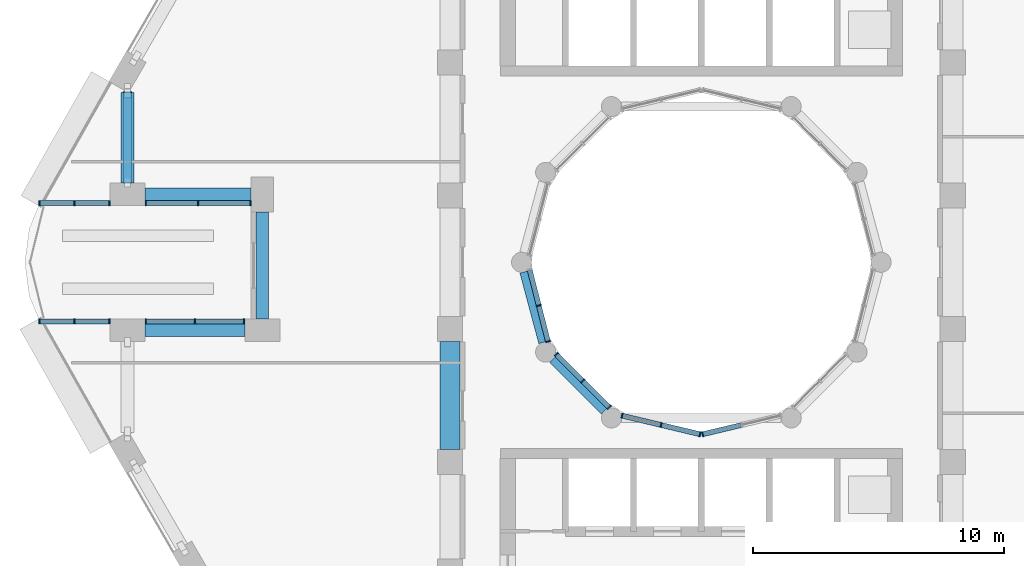
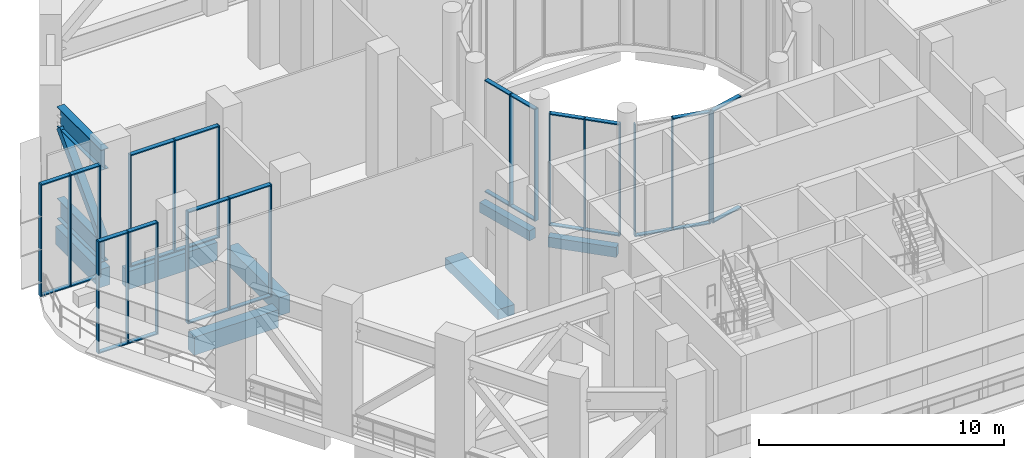
# One storey, part 2 of 21: 53 members, 7 beams, 8 elements without a shape of their own.
"""IFC4 building model written with IfcOpenShell, lengths in metres."""

from ifc_helpers import new_model, si_unit, direction, frame, origin, origin_2d, place, context, subcontext, project, spatial, rectangle, hollow_rectangle, i_section, extrude, material, layer, layer_set, material_profile, profile_set, type_object, element, aggregate, save


model = new_model("IFC4")

# Units and contexts
model_context = context("Model", 3, precision=1e-05, world=origin(), true_north=direction((0.0, 1.0)))
body_context = subcontext(model_context, "Body", "Model", "MODEL_VIEW")
ifc_project = project(units=[si_unit("LENGTHUNIT", "METRE"), si_unit("AREAUNIT", "SQUARE_METRE"), si_unit("VOLUMEUNIT", "CUBIC_METRE"), si_unit("PLANEANGLEUNIT", "RADIAN"), si_unit("MASSUNIT", "GRAM", prefix="KILO")], contexts=[model_context])

# Site, building, storey
site_placement = place(None, origin())
site = spatial("IfcSite", under=ifc_project, at=site_placement, CompositionType="ELEMENT")
building_placement = place(site_placement, origin())
building = spatial("IfcBuilding", under=site, at=building_placement, Name="Nakaniwa Court", CompositionType="ELEMENT")
storey_placement = place(building_placement, frame((0.0, 0.0, 120.60009765625)))
storey = spatial("IfcBuildingStorey", under=building, at=storey_placement, Name="S2", CompositionType="ELEMENT", Elevation=120.60009765625)

# Curtain wall, member
ifc_material_1 = material(Name="Black anodised aluminium frame with dark low-E laminated double glazing", Category="aluminium")
ifc_layer = layer(ifc_material_1, 0.199951171875)
ifc_layer_set = layer_set([ifc_layer], Name="Black anodised aluminium frame with dark low-E laminated double glazing")
curtain_wall_type = type_object("IfcCurtainWallType", Name="Amenity and sky level curtain wall", PredefinedType="NOTDEFINED", material=ifc_layer_set)
curtain_wall_1_placement = place(storey_placement, origin())
curtain_wall_1 = element("IfcCurtainWall", 1, at=curtain_wall_1_placement, inside=storey, type_object=curtain_wall_type, Name="S2 curtain wall CW3 38", PredefinedType="NOTDEFINED")
ifc_material_2 = material(Name="Black anodised aluminium extrusion", Category="aluminium")
ifc_material_profile_1 = material_profile(ifc_material_2, rectangle(XDim=0.199951171875, YDim=0.054931640625, at=origin_2d()), Name="Amenity and sky level curtain wall mullion 55x200")
ifc_profile_set_1 = profile_set([ifc_material_profile_1], Name="Black anodised aluminium extrusion")
member_type_1 = type_object("IfcMemberType", Name="Amenity and sky level curtain wall mullion 55x200", PredefinedType="MULLION", material=ifc_profile_set_1)
member_1_placement = place(storey_placement, frame((80.050048828125, 73.1591796875, 0.0), z_axis=(0.0, 0.0, 1.0), x_axis=(0.231791306712, -0.972765537081, 0.0)))
member_1 = element("IfcMember", 2, at=member_1_placement, type_object=member_type_1, Name="CW3 mullion 3", PredefinedType="MULLION", context=body_context, shape_type="SweptSolid", body=[
    extrude(rectangle(XDim=0.199951171875, YDim=0.054931640625, at=origin_2d()), origin(), (0.0, 0.0, 1.0), 5.58984375),
])

# Curtain wall, members
curtain_wall_2_placement = place(storey_placement, origin())
curtain_wall_2 = element("IfcCurtainWall", 3, at=curtain_wall_2_placement, inside=storey, type_object=curtain_wall_type, Name="S2 curtain wall CW3 39", PredefinedType="NOTDEFINED")
member_2_placement = place(storey_placement, frame((79.949951171875, 73.1591796875, 0.0), z_axis=(0.0, 0.0, 1.0), x_axis=(-0.231791306712, -0.972765537081, 0.0)))
member_2 = element("IfcMember", 4, at=member_2_placement, type_object=member_type_1, Name="CW3 mullion 1", PredefinedType="MULLION", context=body_context, shape_type="SweptSolid", body=[
    extrude(rectangle(XDim=0.199951171875, YDim=0.054931640625, at=origin_2d()), origin(), (0.0, 0.0, 1.0), 5.58984375),
])
member_3_placement = place(storey_placement, frame((78.398193359375, 73.52880859375, 0.0), z_axis=(0.0, 0.0, 1.0), x_axis=(-0.231791306712, -0.972765537081, 0.0)))
member_3 = element("IfcMember", 5, at=member_3_placement, type_object=member_type_1, Name="CW3 mullion 2", PredefinedType="MULLION", context=body_context, shape_type="SweptSolid", body=[
    extrude(rectangle(XDim=0.199951171875, YDim=0.054931640625, at=origin_2d()), origin(), (0.0, 0.0, 1.0), 5.58984375),
])
member_4_placement = place(storey_placement, frame((76.846435546875, 73.898681640625, 0.0), z_axis=(0.0, 0.0, 1.0), x_axis=(-0.231791306712, -0.972765537081, 0.0)))
member_4 = element("IfcMember", 6, at=member_4_placement, type_object=member_type_1, Name="CW3 mullion 3", PredefinedType="MULLION", context=body_context, shape_type="SweptSolid", body=[
    extrude(rectangle(XDim=0.199951171875, YDim=0.054931640625, at=origin_2d()), origin(), (0.0, 0.0, 1.0), 5.58984375),
])

curtain_wall_3_placement = place(storey_placement, origin())
curtain_wall_3 = element("IfcCurtainWall", 7, at=curtain_wall_3_placement, inside=storey, type_object=curtain_wall_type, Name="S2 curtain wall CW3 40", PredefinedType="NOTDEFINED")
member_5_placement = place(storey_placement, frame((76.33740234375, 74.2314453125, 0.0), z_axis=(0.0, 0.0, 1.0), x_axis=(-0.707106781187, -0.707106781187, 0.0)))
member_5 = element("IfcMember", 8, at=member_5_placement, type_object=member_type_1, Name="CW3 mullion 1", PredefinedType="MULLION", context=body_context, shape_type="SweptSolid", body=[
    extrude(rectangle(XDim=0.199951171875, YDim=0.054931640625, at=origin_2d()), origin(), (0.0, 0.0, 1.0), 5.58984375),
])
member_6_placement = place(storey_placement, frame((75.284423828125, 75.284423828125, 0.0), z_axis=(0.0, 0.0, 1.0), x_axis=(-0.707106781187, -0.707106781187, 0.0)))
member_6 = element("IfcMember", 9, at=member_6_placement, type_object=member_type_1, Name="CW3 mullion 2", PredefinedType="MULLION", context=body_context, shape_type="SweptSolid", body=[
    extrude(rectangle(XDim=0.199951171875, YDim=0.054931640625, at=origin_2d()), origin(), (0.0, 0.0, 1.0), 5.58984375),
])
member_7_placement = place(storey_placement, frame((74.2314453125, 76.33740234375, 0.0), z_axis=(0.0, 0.0, 1.0), x_axis=(-0.707106781187, -0.707106781187, 0.0)))
member_7 = element("IfcMember", 10, at=member_7_placement, type_object=member_type_1, Name="CW3 mullion 3", PredefinedType="MULLION", context=body_context, shape_type="SweptSolid", body=[
    extrude(rectangle(XDim=0.199951171875, YDim=0.054931640625, at=origin_2d()), origin(), (0.0, 0.0, 1.0), 5.58984375),
])

curtain_wall_4_placement = place(storey_placement, origin())
curtain_wall_4 = element("IfcCurtainWall", 11, at=curtain_wall_4_placement, inside=storey, type_object=curtain_wall_type, Name="S2 curtain wall CW3 41", PredefinedType="NOTDEFINED")
member_8_placement = place(storey_placement, frame((73.90087890625, 76.84619140625, 0.0), z_axis=(0.0, 0.0, 1.0), x_axis=(-0.968986463302, -0.247113807661, 0.0)))
member_8 = element("IfcMember", 12, at=member_8_placement, type_object=member_type_1, Name="CW3 mullion 1", PredefinedType="MULLION", context=body_context, shape_type="SweptSolid", body=[
    extrude(rectangle(XDim=0.199951171875, YDim=0.054931640625, at=origin_2d()), origin(), (0.0, 0.0, 1.0), 5.58984375),
])
member_9_placement = place(storey_placement, frame((73.53564453125, 78.27783203125, 0.0), z_axis=(0.0, 0.0, 1.0), x_axis=(-0.968986463302, -0.247113807661, 0.0)))
member_9 = element("IfcMember", 13, at=member_9_placement, type_object=member_type_1, Name="CW3 mullion 2", PredefinedType="MULLION", context=body_context, shape_type="SweptSolid", body=[
    extrude(rectangle(XDim=0.199951171875, YDim=0.054931640625, at=origin_2d()), origin(), (0.0, 0.0, 1.0), 5.58984375),
])

curtain_wall_5_placement = place(storey_placement, origin())
curtain_wall_5 = element("IfcCurtainWall", 14, at=curtain_wall_5_placement, inside=storey, type_object=curtain_wall_type, Name="S2 curtain wall CW3 15", PredefinedType="NOTDEFINED")
member_10_placement = place(storey_placement, frame((53.6708984375, 82.35009765625, 0.0), z_axis=(0.0, 0.0, 1.0), x_axis=(0.0, 1.0, 0.0)))
member_10 = element("IfcMember", 15, at=member_10_placement, type_object=member_type_1, Name="CW3 mullion 1", PredefinedType="MULLION", context=body_context, shape_type="SweptSolid", body=[
    extrude(rectangle(XDim=0.199951171875, YDim=0.054931640625, at=origin_2d()), origin(), (0.0, 0.0, 1.0), 5.58984375),
])
member_11_placement = place(storey_placement, frame((55.062255859375, 82.35009765625, 0.0), z_axis=(0.0, 0.0, 1.0), x_axis=(0.0, 1.0, 0.0)))
member_11 = element("IfcMember", 16, at=member_11_placement, type_object=member_type_1, Name="CW3 mullion 2", PredefinedType="MULLION", context=body_context, shape_type="SweptSolid", body=[
    extrude(rectangle(XDim=0.199951171875, YDim=0.054931640625, at=origin_2d()), origin(), (0.0, 0.0, 1.0), 5.58984375),
])
member_12_placement = place(storey_placement, frame((56.45361328125, 82.35009765625, 0.0), z_axis=(0.0, 0.0, 1.0), x_axis=(0.0, 1.0, 0.0)))
member_12 = element("IfcMember", 17, at=member_12_placement, type_object=member_type_1, Name="CW3 mullion 3", PredefinedType="MULLION", context=body_context, shape_type="SweptSolid", body=[
    extrude(rectangle(XDim=0.199951171875, YDim=0.054931640625, at=origin_2d()), origin(), (0.0, 0.0, 1.0), 5.58984375),
])

curtain_wall_6_placement = place(storey_placement, origin())
curtain_wall_6 = element("IfcCurtainWall", 18, at=curtain_wall_6_placement, inside=storey, type_object=curtain_wall_type, Name="S2 curtain wall CW3 16", PredefinedType="NOTDEFINED")
member_13_placement = place(storey_placement, frame((57.900634765625, 82.35009765625, 0.0), z_axis=(0.0, 0.0, 1.0), x_axis=(0.0, 1.0, 0.0)))
member_13 = element("IfcMember", 19, at=member_13_placement, type_object=member_type_1, Name="CW3 mullion 1", PredefinedType="MULLION", context=body_context, shape_type="SweptSolid", body=[
    extrude(rectangle(XDim=0.199951171875, YDim=0.054931640625, at=origin_2d()), origin(), (0.0, 0.0, 1.0), 5.58984375),
])
member_14_placement = place(storey_placement, frame((59.984375, 82.35009765625, 0.0), z_axis=(0.0, 0.0, 1.0), x_axis=(0.0, 1.0, 0.0)))
member_14 = element("IfcMember", 20, at=member_14_placement, type_object=member_type_1, Name="CW3 mullion 2", PredefinedType="MULLION", context=body_context, shape_type="SweptSolid", body=[
    extrude(rectangle(XDim=0.199951171875, YDim=0.054931640625, at=origin_2d()), origin(), (0.0, 0.0, 1.0), 5.58984375),
])
member_15_placement = place(storey_placement, frame((62.068115234375, 82.35009765625, 0.0), z_axis=(0.0, 0.0, 1.0), x_axis=(0.0, 1.0, 0.0)))
member_15 = element("IfcMember", 21, at=member_15_placement, type_object=member_type_1, Name="CW3 mullion 3", PredefinedType="MULLION", context=body_context, shape_type="SweptSolid", body=[
    extrude(rectangle(XDim=0.199951171875, YDim=0.054931640625, at=origin_2d()), origin(), (0.0, 0.0, 1.0), 5.58984375),
])

curtain_wall_7_placement = place(storey_placement, origin())
curtain_wall_7 = element("IfcCurtainWall", 22, at=curtain_wall_7_placement, inside=storey, type_object=curtain_wall_type, Name="S2 curtain wall CW3 18", PredefinedType="NOTDEFINED")
member_16_placement = place(storey_placement, frame((61.818115234375, 77.64990234375, 0.0), z_axis=(0.0, 0.0, 1.0), x_axis=(0.0, -1.0, 0.0)))
member_16 = element("IfcMember", 23, at=member_16_placement, type_object=member_type_1, Name="CW3 mullion 1", PredefinedType="MULLION", context=body_context, shape_type="SweptSolid", body=[
    extrude(rectangle(XDim=0.199951171875, YDim=0.054931640625, at=origin_2d()), origin(), (0.0, 0.0, 1.0), 5.58984375),
])
member_17_placement = place(storey_placement, frame((59.859375, 77.64990234375, 0.0), z_axis=(0.0, 0.0, 1.0), x_axis=(0.0, -1.0, 0.0)))
member_17 = element("IfcMember", 24, at=member_17_placement, type_object=member_type_1, Name="CW3 mullion 2", PredefinedType="MULLION", context=body_context, shape_type="SweptSolid", body=[
    extrude(rectangle(XDim=0.199951171875, YDim=0.054931640625, at=origin_2d()), origin(), (0.0, 0.0, 1.0), 5.58984375),
])
member_18_placement = place(storey_placement, frame((57.900634765625, 77.64990234375, 0.0), z_axis=(0.0, 0.0, 1.0), x_axis=(0.0, -1.0, 0.0)))
member_18 = element("IfcMember", 25, at=member_18_placement, type_object=member_type_1, Name="CW3 mullion 3", PredefinedType="MULLION", context=body_context, shape_type="SweptSolid", body=[
    extrude(rectangle(XDim=0.199951171875, YDim=0.054931640625, at=origin_2d()), origin(), (0.0, 0.0, 1.0), 5.58984375),
])

curtain_wall_8_placement = place(storey_placement, origin())
curtain_wall_8 = element("IfcCurtainWall", 26, at=curtain_wall_8_placement, inside=storey, type_object=curtain_wall_type, Name="S2 curtain wall CW3 19", PredefinedType="NOTDEFINED")
member_19_placement = place(storey_placement, frame((56.45361328125, 77.64990234375, 0.0), z_axis=(0.0, 0.0, 1.0), x_axis=(0.0, -1.0, 0.0)))
member_19 = element("IfcMember", 27, at=member_19_placement, type_object=member_type_1, Name="CW3 mullion 1", PredefinedType="MULLION", context=body_context, shape_type="SweptSolid", body=[
    extrude(rectangle(XDim=0.199951171875, YDim=0.054931640625, at=origin_2d()), origin(), (0.0, 0.0, 1.0), 5.58984375),
])
member_20_placement = place(storey_placement, frame((55.062255859375, 77.64990234375, 0.0), z_axis=(0.0, 0.0, 1.0), x_axis=(0.0, -1.0, 0.0)))
member_20 = element("IfcMember", 28, at=member_20_placement, type_object=member_type_1, Name="CW3 mullion 2", PredefinedType="MULLION", context=body_context, shape_type="SweptSolid", body=[
    extrude(rectangle(XDim=0.199951171875, YDim=0.054931640625, at=origin_2d()), origin(), (0.0, 0.0, 1.0), 5.58984375),
])
member_21_placement = place(storey_placement, frame((53.6708984375, 77.64990234375, 0.0), z_axis=(0.0, 0.0, 1.0), x_axis=(0.0, -1.0, 0.0)))
member_21 = element("IfcMember", 29, at=member_21_placement, type_object=member_type_1, Name="CW3 mullion 3", PredefinedType="MULLION", context=body_context, shape_type="SweptSolid", body=[
    extrude(rectangle(XDim=0.199951171875, YDim=0.054931640625, at=origin_2d()), origin(), (0.0, 0.0, 1.0), 5.58984375),
])

# Member
ifc_material_profile_2 = material_profile(ifc_material_2, rectangle(XDim=0.199951171875, YDim=0.054931640625, at=origin_2d()), Name="Amenity and sky level curtain wall transom 55x200")
ifc_profile_set_2 = profile_set([ifc_material_profile_2], Name="Black anodised aluminium extrusion")
member_type_2 = type_object("IfcMemberType", Name="Amenity and sky level curtain wall transom 55x200", PredefinedType="USERDEFINED", material=ifc_profile_set_2)
member_22_placement = place(storey_placement, frame((81.574951171875, 73.5224609375, 0.02734375), z_axis=(-0.972777294296, -0.231741959306, 0.0), x_axis=(0.231741959306, -0.972777294296, 0.0)))
member_22 = element("IfcMember", 30, at=member_22_placement, type_object=member_type_2, Name="CW3 transom 2.1", ObjectType="TRANSOM", PredefinedType="USERDEFINED", context=body_context, shape_type="SweptSolid", body=[
    extrude(rectangle(XDim=0.199951171875, YDim=0.054931640625, at=origin_2d()), origin(), (0.0, 0.0, 1.0), 1.540283203125),
])

member_23_placement = place(storey_placement, frame((81.574951171875, 73.5224609375, 5.5625), z_axis=(-0.972777294296, -0.231741959306, 0.0), x_axis=(0.231741959306, -0.972777294296, 0.0)))
member_23 = element("IfcMember", 31, at=member_23_placement, type_object=member_type_2, Name="CW3 transom 2.2", ObjectType="TRANSOM", PredefinedType="USERDEFINED", context=body_context, shape_type="SweptSolid", body=[
    extrude(rectangle(XDim=0.199951171875, YDim=0.054931640625, at=origin_2d()), origin(), (0.0, 0.0, 1.0), 1.540283203125),
])

aggregate(curtain_wall_1, [member_1, member_22, member_23])

member_24_placement = place(storey_placement, frame((79.92333984375, 73.16552734375, 0.02734375), z_axis=(-0.972777294296, 0.231741959306, 0.0), x_axis=(-0.231741959306, -0.972777294296, 0.0)))
member_24 = element("IfcMember", 32, at=member_24_placement, type_object=member_type_2, Name="CW3 transom 1.1", ObjectType="TRANSOM", PredefinedType="USERDEFINED", context=body_context, shape_type="SweptSolid", body=[
    extrude(rectangle(XDim=0.199951171875, YDim=0.054931640625, at=origin_2d()), origin(), (0.0, 0.0, 1.0), 1.540283203125),
])

member_25_placement = place(storey_placement, frame((79.92333984375, 73.16552734375, 5.5625), z_axis=(-0.972777294296, 0.231741959306, 0.0), x_axis=(-0.231741959306, -0.972777294296, 0.0)))
member_25 = element("IfcMember", 33, at=member_25_placement, type_object=member_type_2, Name="CW3 transom 1.2", ObjectType="TRANSOM", PredefinedType="USERDEFINED", context=body_context, shape_type="SweptSolid", body=[
    extrude(rectangle(XDim=0.199951171875, YDim=0.054931640625, at=origin_2d()), origin(), (0.0, 0.0, 1.0), 1.540283203125),
])

member_26_placement = place(storey_placement, frame((78.371337890625, 73.53515625, 0.02734375), z_axis=(-0.972741550558, 0.231891948585, 0.0), x_axis=(-0.231891948585, -0.972741550558, 0.0)))
member_26 = element("IfcMember", 34, at=member_26_placement, type_object=member_type_2, Name="CW3 transom 2.1", ObjectType="TRANSOM", PredefinedType="USERDEFINED", context=body_context, shape_type="SweptSolid", body=[
    extrude(rectangle(XDim=0.199951171875, YDim=0.054931640625, at=origin_2d()), origin(), (0.0, 0.0, 1.0), 1.540283203125),
])

aggregate(curtain_wall_2, [member_2, member_3, member_4, member_24, member_25, member_26])

member_27_placement = place(storey_placement, frame((76.31787109375, 74.2509765625, 0.02734375), z_axis=(-0.707106781187, 0.707106781187, 0.0), x_axis=(-0.707106781187, -0.707106781187, 0.0)))
member_27 = element("IfcMember", 35, at=member_27_placement, type_object=member_type_2, Name="CW3 transom 1.1", ObjectType="TRANSOM", PredefinedType="USERDEFINED", context=body_context, shape_type="SweptSolid", body=[
    extrude(rectangle(XDim=0.199951171875, YDim=0.054931640625, at=origin_2d()), origin(), (0.0, 0.0, 1.0), 1.433837890625),
])

member_28_placement = place(storey_placement, frame((76.31787109375, 74.2509765625, 5.5625), z_axis=(-0.707106781187, 0.707106781187, 0.0), x_axis=(-0.707106781187, -0.707106781187, 0.0)))
member_28 = element("IfcMember", 36, at=member_28_placement, type_object=member_type_2, Name="CW3 transom 1.2", ObjectType="TRANSOM", PredefinedType="USERDEFINED", context=body_context, shape_type="SweptSolid", body=[
    extrude(rectangle(XDim=0.199951171875, YDim=0.054931640625, at=origin_2d()), origin(), (0.0, 0.0, 1.0), 1.433837890625),
])

member_29_placement = place(storey_placement, frame((75.264892578125, 75.303955078125, 0.02734375), z_axis=(-0.707106781187, 0.707106781187, 0.0), x_axis=(-0.707106781187, -0.707106781187, 0.0)))
member_29 = element("IfcMember", 37, at=member_29_placement, type_object=member_type_2, Name="CW3 transom 2.1", ObjectType="TRANSOM", PredefinedType="USERDEFINED", context=body_context, shape_type="SweptSolid", body=[
    extrude(rectangle(XDim=0.199951171875, YDim=0.054931640625, at=origin_2d()), origin(), (0.0, 0.0, 1.0), 1.433837890625),
])

member_30_placement = place(storey_placement, frame((75.264892578125, 75.303955078125, 5.5625), z_axis=(-0.707106781187, 0.707106781187, 0.0), x_axis=(-0.707106781187, -0.707106781187, 0.0)))
member_30 = element("IfcMember", 38, at=member_30_placement, type_object=member_type_2, Name="CW3 transom 2.2", ObjectType="TRANSOM", PredefinedType="USERDEFINED", context=body_context, shape_type="SweptSolid", body=[
    extrude(rectangle(XDim=0.199951171875, YDim=0.054931640625, at=origin_2d()), origin(), (0.0, 0.0, 1.0), 1.433837890625),
])

aggregate(curtain_wall_3, [member_5, member_6, member_7, member_27, member_28, member_29, member_30])

member_31_placement = place(storey_placement, frame((73.89404296875, 76.872802734375, 0.02734375), z_axis=(-0.247136415914, 0.968980697398, 0.0), x_axis=(-0.968980697398, -0.247136415914, 0.0)))
member_31 = element("IfcMember", 39, at=member_31_placement, type_object=member_type_2, Name="CW3 transom 1.1", ObjectType="TRANSOM", PredefinedType="USERDEFINED", context=body_context, shape_type="SweptSolid", body=[
    extrude(rectangle(XDim=0.199951171875, YDim=0.054931640625, at=origin_2d()), origin(), (0.0, 0.0, 1.0), 1.422607421875),
])

member_32_placement = place(storey_placement, frame((73.89404296875, 76.872802734375, 5.5625), z_axis=(-0.247136415914, 0.968980697398, 0.0), x_axis=(-0.968980697398, -0.247136415914, 0.0)))
member_32 = element("IfcMember", 40, at=member_32_placement, type_object=member_type_2, Name="CW3 transom 1.2", ObjectType="TRANSOM", PredefinedType="USERDEFINED", context=body_context, shape_type="SweptSolid", body=[
    extrude(rectangle(XDim=0.199951171875, YDim=0.054931640625, at=origin_2d()), origin(), (0.0, 0.0, 1.0), 1.422607421875),
])

member_33_placement = place(storey_placement, frame((73.52880859375, 78.304443359375, 0.02734375), z_axis=(-0.24697526524, 0.969021784255, 0.0), x_axis=(-0.969021784255, -0.24697526524, 0.0)))
member_33 = element("IfcMember", 41, at=member_33_placement, type_object=member_type_2, Name="CW3 transom 2.1", ObjectType="TRANSOM", PredefinedType="USERDEFINED", context=body_context, shape_type="SweptSolid", body=[
    extrude(rectangle(XDim=0.199951171875, YDim=0.054931640625, at=origin_2d()), origin(), (0.0, 0.0, 1.0), 1.42236328125),
])

member_34_placement = place(storey_placement, frame((73.52880859375, 78.304443359375, 5.5625), z_axis=(-0.24697526524, 0.969021784255, 0.0), x_axis=(-0.969021784255, -0.24697526524, 0.0)))
member_34 = element("IfcMember", 42, at=member_34_placement, type_object=member_type_2, Name="CW3 transom 2.2", ObjectType="TRANSOM", PredefinedType="USERDEFINED", context=body_context, shape_type="SweptSolid", body=[
    extrude(rectangle(XDim=0.199951171875, YDim=0.054931640625, at=origin_2d()), origin(), (0.0, 0.0, 1.0), 1.42236328125),
])

aggregate(curtain_wall_4, [member_8, member_9, member_31, member_32, member_33, member_34])

member_35_placement = place(storey_placement, frame((53.6982421875, 82.35009765625, 0.02734375), z_axis=(1.0, 0.0, 0.0), x_axis=(0.0, 1.0, 0.0)))
member_35 = element("IfcMember", 43, at=member_35_placement, type_object=member_type_2, Name="CW3 transom 1.1", ObjectType="TRANSOM", PredefinedType="USERDEFINED", context=body_context, shape_type="SweptSolid", body=[
    extrude(rectangle(XDim=0.199951171875, YDim=0.054931640625, at=origin_2d()), origin(), (0.0, 0.0, 1.0), 1.33642578125),
])

member_36_placement = place(storey_placement, frame((53.6982421875, 82.35009765625, 5.5625), z_axis=(1.0, 0.0, 0.0), x_axis=(0.0, 1.0, 0.0)))
member_36 = element("IfcMember", 44, at=member_36_placement, type_object=member_type_2, Name="CW3 transom 1.2", ObjectType="TRANSOM", PredefinedType="USERDEFINED", context=body_context, shape_type="SweptSolid", body=[
    extrude(rectangle(XDim=0.199951171875, YDim=0.054931640625, at=origin_2d()), origin(), (0.0, 0.0, 1.0), 1.33642578125),
])

member_37_placement = place(storey_placement, frame((55.089599609375, 82.35009765625, 0.02734375), z_axis=(1.0, 0.0, 0.0), x_axis=(0.0, 1.0, 0.0)))
member_37 = element("IfcMember", 45, at=member_37_placement, type_object=member_type_2, Name="CW3 transom 2.1", ObjectType="TRANSOM", PredefinedType="USERDEFINED", context=body_context, shape_type="SweptSolid", body=[
    extrude(rectangle(XDim=0.199951171875, YDim=0.054931640625, at=origin_2d()), origin(), (0.0, 0.0, 1.0), 1.33642578125),
])

member_38_placement = place(storey_placement, frame((55.089599609375, 82.35009765625, 5.5625), z_axis=(1.0, 0.0, 0.0), x_axis=(0.0, 1.0, 0.0)))
member_38 = element("IfcMember", 46, at=member_38_placement, type_object=member_type_2, Name="CW3 transom 2.2", ObjectType="TRANSOM", PredefinedType="USERDEFINED", context=body_context, shape_type="SweptSolid", body=[
    extrude(rectangle(XDim=0.199951171875, YDim=0.054931640625, at=origin_2d()), origin(), (0.0, 0.0, 1.0), 1.33642578125),
])

aggregate(curtain_wall_5, [member_10, member_11, member_12, member_35, member_36, member_37, member_38])

member_39_placement = place(storey_placement, frame((57.927978515625, 82.35009765625, 0.02734375), z_axis=(1.0, 0.0, 0.0), x_axis=(0.0, 1.0, 0.0)))
member_39 = element("IfcMember", 47, at=member_39_placement, type_object=member_type_2, Name="CW3 transom 1.1", ObjectType="TRANSOM", PredefinedType="USERDEFINED", context=body_context, shape_type="SweptSolid", body=[
    extrude(rectangle(XDim=0.199951171875, YDim=0.054931640625, at=origin_2d()), origin(), (0.0, 0.0, 1.0), 2.02880859375),
])

member_40_placement = place(storey_placement, frame((57.927978515625, 82.35009765625, 5.5625), z_axis=(1.0, 0.0, 0.0), x_axis=(0.0, 1.0, 0.0)))
member_40 = element("IfcMember", 48, at=member_40_placement, type_object=member_type_2, Name="CW3 transom 1.2", ObjectType="TRANSOM", PredefinedType="USERDEFINED", context=body_context, shape_type="SweptSolid", body=[
    extrude(rectangle(XDim=0.199951171875, YDim=0.054931640625, at=origin_2d()), origin(), (0.0, 0.0, 1.0), 2.02880859375),
])

member_41_placement = place(storey_placement, frame((60.011962890625, 82.35009765625, 0.02734375), z_axis=(1.0, 0.0, 0.0), x_axis=(0.0, 1.0, 0.0)))
member_41 = element("IfcMember", 49, at=member_41_placement, type_object=member_type_2, Name="CW3 transom 2.1", ObjectType="TRANSOM", PredefinedType="USERDEFINED", context=body_context, shape_type="SweptSolid", body=[
    extrude(rectangle(XDim=0.199951171875, YDim=0.054931640625, at=origin_2d()), origin(), (0.0, 0.0, 1.0), 2.028564453125),
])

member_42_placement = place(storey_placement, frame((60.011962890625, 82.35009765625, 5.5625), z_axis=(1.0, 0.0, 0.0), x_axis=(0.0, 1.0, 0.0)))
member_42 = element("IfcMember", 50, at=member_42_placement, type_object=member_type_2, Name="CW3 transom 2.2", ObjectType="TRANSOM", PredefinedType="USERDEFINED", context=body_context, shape_type="SweptSolid", body=[
    extrude(rectangle(XDim=0.199951171875, YDim=0.054931640625, at=origin_2d()), origin(), (0.0, 0.0, 1.0), 2.028564453125),
])

aggregate(curtain_wall_6, [member_13, member_14, member_15, member_39, member_40, member_41, member_42])

member_43_placement = place(storey_placement, frame((61.79052734375, 77.64990234375, 0.02734375), z_axis=(-1.0, 0.0, 0.0), x_axis=(0.0, -1.0, 0.0)))
member_43 = element("IfcMember", 51, at=member_43_placement, type_object=member_type_2, Name="CW3 transom 1.1", ObjectType="TRANSOM", PredefinedType="USERDEFINED", context=body_context, shape_type="SweptSolid", body=[
    extrude(rectangle(XDim=0.199951171875, YDim=0.054931640625, at=origin_2d()), origin(), (0.0, 0.0, 1.0), 1.903564453125),
])

member_44_placement = place(storey_placement, frame((61.79052734375, 77.64990234375, 5.5625), z_axis=(-1.0, 0.0, 0.0), x_axis=(0.0, -1.0, 0.0)))
member_44 = element("IfcMember", 52, at=member_44_placement, type_object=member_type_2, Name="CW3 transom 1.2", ObjectType="TRANSOM", PredefinedType="USERDEFINED", context=body_context, shape_type="SweptSolid", body=[
    extrude(rectangle(XDim=0.199951171875, YDim=0.054931640625, at=origin_2d()), origin(), (0.0, 0.0, 1.0), 1.903564453125),
])

member_45_placement = place(storey_placement, frame((59.831787109375, 77.64990234375, 0.02734375), z_axis=(-1.0, 0.0, 0.0), x_axis=(0.0, -1.0, 0.0)))
member_45 = element("IfcMember", 53, at=member_45_placement, type_object=member_type_2, Name="CW3 transom 2.1", ObjectType="TRANSOM", PredefinedType="USERDEFINED", context=body_context, shape_type="SweptSolid", body=[
    extrude(rectangle(XDim=0.199951171875, YDim=0.054931640625, at=origin_2d()), origin(), (0.0, 0.0, 1.0), 1.90380859375),
])

member_46_placement = place(storey_placement, frame((59.831787109375, 77.64990234375, 5.5625), z_axis=(-1.0, 0.0, 0.0), x_axis=(0.0, -1.0, 0.0)))
member_46 = element("IfcMember", 54, at=member_46_placement, type_object=member_type_2, Name="CW3 transom 2.2", ObjectType="TRANSOM", PredefinedType="USERDEFINED", context=body_context, shape_type="SweptSolid", body=[
    extrude(rectangle(XDim=0.199951171875, YDim=0.054931640625, at=origin_2d()), origin(), (0.0, 0.0, 1.0), 1.90380859375),
])

aggregate(curtain_wall_7, [member_16, member_17, member_18, member_43, member_44, member_45, member_46])

member_47_placement = place(storey_placement, frame((56.426025390625, 77.64990234375, 0.02734375), z_axis=(-1.0, 0.0, 0.0), x_axis=(0.0, -1.0, 0.0)))
member_47 = element("IfcMember", 55, at=member_47_placement, type_object=member_type_2, Name="CW3 transom 1.1", ObjectType="TRANSOM", PredefinedType="USERDEFINED", context=body_context, shape_type="SweptSolid", body=[
    extrude(rectangle(XDim=0.199951171875, YDim=0.054931640625, at=origin_2d()), origin(), (0.0, 0.0, 1.0), 1.33642578125),
])

member_48_placement = place(storey_placement, frame((56.426025390625, 77.64990234375, 5.5625), z_axis=(-1.0, 0.0, 0.0), x_axis=(0.0, -1.0, 0.0)))
member_48 = element("IfcMember", 56, at=member_48_placement, type_object=member_type_2, Name="CW3 transom 1.2", ObjectType="TRANSOM", PredefinedType="USERDEFINED", context=body_context, shape_type="SweptSolid", body=[
    extrude(rectangle(XDim=0.199951171875, YDim=0.054931640625, at=origin_2d()), origin(), (0.0, 0.0, 1.0), 1.33642578125),
])

member_49_placement = place(storey_placement, frame((55.03466796875, 77.64990234375, 0.02734375), z_axis=(-1.0, 0.0, 0.0), x_axis=(0.0, -1.0, 0.0)))
member_49 = element("IfcMember", 57, at=member_49_placement, type_object=member_type_2, Name="CW3 transom 2.1", ObjectType="TRANSOM", PredefinedType="USERDEFINED", context=body_context, shape_type="SweptSolid", body=[
    extrude(rectangle(XDim=0.199951171875, YDim=0.054931640625, at=origin_2d()), origin(), (0.0, 0.0, 1.0), 1.33642578125),
])

member_50_placement = place(storey_placement, frame((55.03466796875, 77.64990234375, 5.5625), z_axis=(-1.0, 0.0, 0.0), x_axis=(0.0, -1.0, 0.0)))
member_50 = element("IfcMember", 58, at=member_50_placement, type_object=member_type_2, Name="CW3 transom 2.2", ObjectType="TRANSOM", PredefinedType="USERDEFINED", context=body_context, shape_type="SweptSolid", body=[
    extrude(rectangle(XDim=0.199951171875, YDim=0.054931640625, at=origin_2d()), origin(), (0.0, 0.0, 1.0), 1.33642578125),
])

aggregate(curtain_wall_8, [member_19, member_20, member_21, member_47, member_48, member_49, member_50])

# Members
ifc_material_3 = material(Name="Steel Grade 350", Category="steel")
ifc_material_profile_3 = material_profile(ifc_material_3, i_section(OverallWidth=0.35009765625, OverallDepth=1.010009765625, WebThickness=0.01611328125, FlangeThickness=0.02490234375, at=origin_2d()), Name="1000WB258")
ifc_profile_set_3 = profile_set([ifc_material_profile_3], Name="Steel Grade 350")
member_type_3 = type_object("IfcMemberType", Name="BELT chord 1000 WB258", PredefinedType="CHORD", material=ifc_profile_set_3)
for number, where, z_axis, x_axis, name in (
    (59, (57.177001953125, 86.761474609375, 0.5048828125), (0.0, -1.0, 0.0), (1.0, 0.0, 0.0), "BELT CHORD BT-06-B"),
    (60, (57.177001953125, 86.761474609375, 5.0849609375), (0.0, -1.0, 0.0), (1.0, 0.0, 0.0), "BELT CHORD BT-06-T"),
):
    element("IfcMember", number, at=place(storey_placement, frame(where, z_axis=z_axis, x_axis=x_axis)), inside=storey, type_object=member_type_3, Name=name, PredefinedType="CHORD", context=body_context, shape_type="SweptSolid", body=[
        extrude(i_section(OverallWidth=0.35009765625, OverallDepth=1.010009765625, WebThickness=0.01611328125, FlangeThickness=0.02490234375, at=origin_2d()), origin(), (0.0, 0.0, 1.0), 3.611572265625),
    ])
ifc_material_profile_4 = material_profile(ifc_material_3, hollow_rectangle(XDim=0.35009765625, YDim=0.35009765625, WallThickness=0.01611328125, at=origin_2d()), Name="BELT diagonal 350x350x16 SHS")
ifc_profile_set_4 = profile_set([ifc_material_profile_4], Name="Steel Grade 350")
member_type_4 = type_object("IfcMemberType", Name="BELT diagonal 350x350x16 SHS", PredefinedType="BRACE", material=ifc_profile_set_4)
member_51_placement = place(storey_placement, frame((57.177001953125, 86.661376953125, 4.579833984375), z_axis=(0.0, -0.690880170315, -0.722969287221), x_axis=(1.0, 0.0, 0.0)))
element("IfcMember", 61, at=member_51_placement, inside=storey, type_object=member_type_4, Name="BELT DIAGONAL BT-06-D", PredefinedType="BRACE", context=body_context, shape_type="SweptSolid", body=[
    extrude(hollow_rectangle(XDim=0.35009765625, YDim=0.35009765625, WallThickness=0.01611328125, at=origin_2d()), origin(), (0.0, 0.0, 1.0), 4.937744140625),
])

# Beams
ifc_material_4 = material(Name="Concrete C80/100", Category="concrete")
ifc_material_profile_5 = material_profile(ifc_material_4, rectangle(XDim=0.35009765625, YDim=0.5, at=origin_2d()), Name="Concrete C80/100 RC 350x500 ring beam")
ifc_profile_set_5 = profile_set([ifc_material_profile_5], Name="Concrete C80/100")
beam_type_1 = type_object("IfcBeamType", Name="Concrete C80/100 RC 350x500 ring beam", PredefinedType="BEAM", material=ifc_profile_set_5)
beam_1_placement = place(storey_placement, frame((72.95361328125, 79.613525390625, -0.60009765625), z_axis=(0.258778150207, -0.965936783115, 0.0), x_axis=(0.965936783115, 0.258778150207, 0.0)))
element("IfcBeam", 62, at=beam_1_placement, inside=storey, type_object=beam_type_1, Name="RING BEAM", PredefinedType="BEAM", context=body_context, shape_type="SweptSolid", body=[
    extrude(rectangle(XDim=0.35009765625, YDim=0.5, at=origin_2d()), origin(), (0.0, 0.0, 1.0), 2.901123046875),
])
beam_2_placement = place(storey_placement, frame((74.0908203125, 76.14208984375, -0.60009765625), z_axis=(0.707106781187, -0.707106781187, 0.0), x_axis=(0.707106781187, 0.707106781187, 0.0)))
element("IfcBeam", 63, at=beam_2_placement, inside=storey, type_object=beam_type_1, Name="RING BEAM", PredefinedType="BEAM", context=body_context, shape_type="SweptSolid", body=[
    extrude(rectangle(XDim=0.35009765625, YDim=0.5, at=origin_2d()), origin(), (0.0, 0.0, 1.0), 2.90087890625),
])
ifc_material_profile_6 = material_profile(ifc_material_4, rectangle(XDim=0.5, YDim=0.89990234375, at=origin_2d()), Name="Concrete C80/100 RC 500x900 spandrel beam")
ifc_profile_set_6 = profile_set([ifc_material_profile_6], Name="Concrete C80/100")
beam_type_2 = type_object("IfcBeamType", Name="Concrete C80/100 RC 500x900 spandrel beam", PredefinedType="BEAM", material=ifc_profile_set_6)
beam_3_placement = place(storey_placement, frame((57.177001953125, 86.761474609375, -0.800048828125), z_axis=(0.0, -1.0, 0.0), x_axis=(1.0, 0.0, 0.0)))
element("IfcBeam", 64, at=beam_3_placement, inside=storey, type_object=beam_type_2, Name="SPANDREL BEAM", PredefinedType="BEAM", context=body_context, shape_type="SweptSolid", body=[
    extrude(rectangle(XDim=0.5, YDim=0.89990234375, at=origin_2d()), origin(), (0.0, 0.0, 1.0), 3.611572265625),
])
beam_4_placement = place(storey_placement, frame((57.877197265625, 82.699951171875, -0.800048828125), z_axis=(1.0, 0.0, 0.0), x_axis=(0.0, 1.0, 0.0)))
element("IfcBeam", 65, at=beam_4_placement, inside=storey, type_object=beam_type_2, Name="SPANDREL BEAM", PredefinedType="BEAM", context=body_context, shape_type="SweptSolid", body=[
    extrude(rectangle(XDim=0.5, YDim=0.89990234375, at=origin_2d()), origin(), (0.0, 0.0, 1.0), 4.21435546875),
])
beam_5_placement = place(storey_placement, frame((62.54150390625, 82.0, -0.800048828125), z_axis=(0.0, -1.0, 0.0), x_axis=(1.0, 0.0, 0.0)))
element("IfcBeam", 66, at=beam_5_placement, inside=storey, type_object=beam_type_2, Name="SPANDREL BEAM", PredefinedType="BEAM", context=body_context, shape_type="SweptSolid", body=[
    extrude(rectangle(XDim=0.5, YDim=0.89990234375, at=origin_2d()), origin(), (0.0, 0.0, 1.0), 4.25),
])
beam_6_placement = place(storey_placement, frame((61.841552734375, 77.300048828125, -0.800048828125), z_axis=(-1.0, 0.0, 0.0), x_axis=(0.0, -1.0, 0.0)))
element("IfcBeam", 67, at=beam_6_placement, inside=storey, type_object=beam_type_2, Name="SPANDREL BEAM", PredefinedType="BEAM", context=body_context, shape_type="SweptSolid", body=[
    extrude(rectangle(XDim=0.5, YDim=0.89990234375, at=origin_2d()), origin(), (0.0, 0.0, 1.0), 3.96435546875),
])
ifc_material_profile_7 = material_profile(ifc_material_4, rectangle(XDim=0.800048828125, YDim=0.5, at=origin_2d()), Name="Concrete C80/100 RC 800x500 ring beam")
ifc_profile_set_7 = profile_set([ifc_material_profile_7], Name="Concrete C80/100")
beam_type_3 = type_object("IfcBeamType", Name="Concrete C80/100 RC 800x500 ring beam", PredefinedType="BEAM", material=ifc_profile_set_7)
beam_7_placement = place(storey_placement, frame((70.0, 76.85009765625, -0.60009765625), z_axis=(0.0, -1.0, 0.0), x_axis=(1.0, 0.0, 0.0)))
element("IfcBeam", 68, at=beam_7_placement, inside=storey, type_object=beam_type_3, Name="RING BEAM", PredefinedType="BEAM", context=body_context, shape_type="SweptSolid", body=[
    extrude(rectangle(XDim=0.800048828125, YDim=0.5, at=origin_2d()), origin(), (0.0, 0.0, 1.0), 4.300048828125),
])

save(model, "model.ifc")
